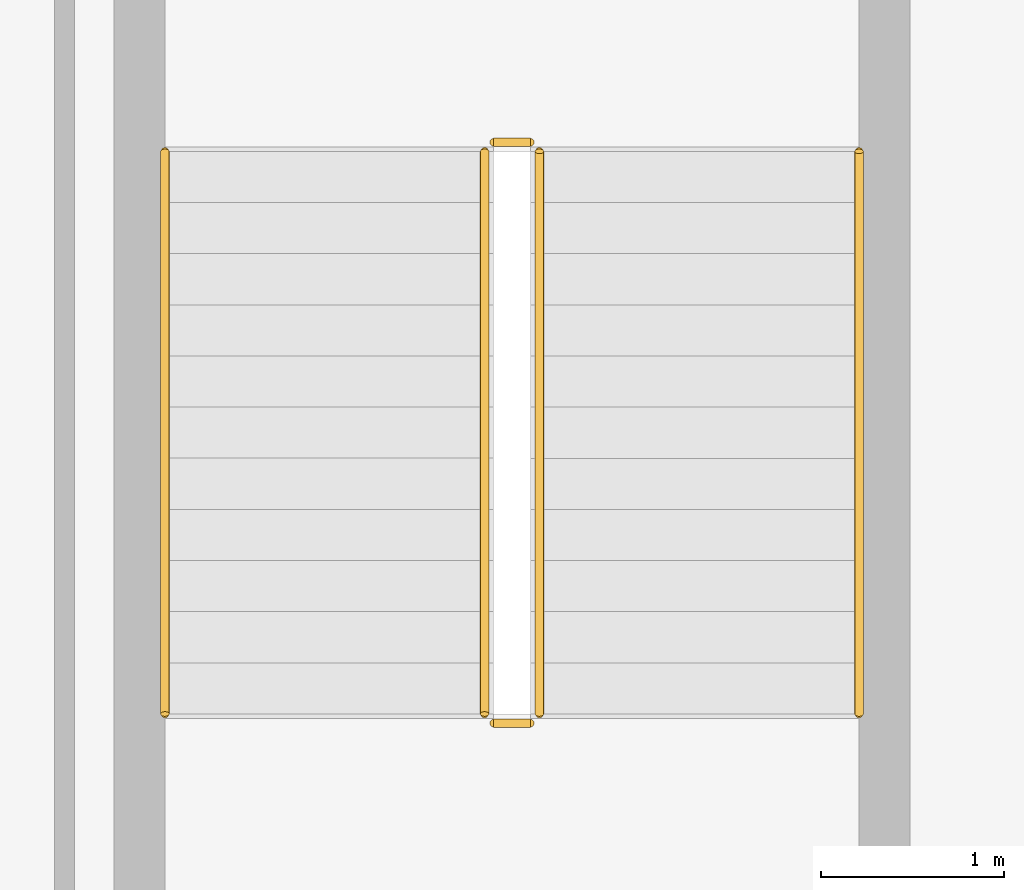
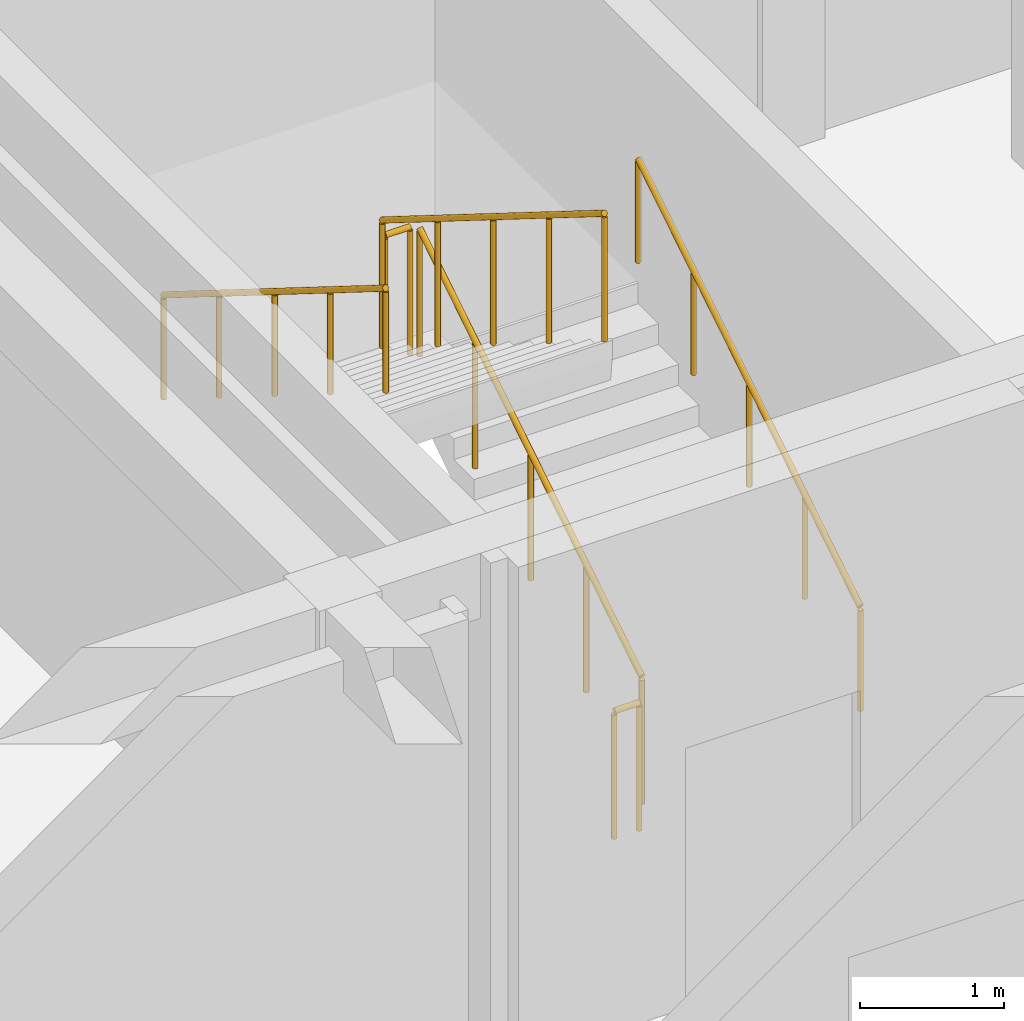
# One storey, part 21 of 26: 6 railings.
"""IFC4 building model written with IfcOpenShell, lengths in metres."""

import ifcopenshell
import ifcopenshell.guid

model = None  # the IFC model being written
_history = None  # IfcOwnerHistory: only IFC2X3 demands one
_inside = {}  # id of a spatial element -> (the spatial element, [elements in it])
_under = {}  # id of a project, library or spatial element -> (it, [spatial elements below it])
_declared = {}  # id of a project -> (the project, [libraries it declares])
_typed = {}  # id of a type object -> (the type object, [elements of that type])
_made_of = {}  # id of a material, layer set ... -> (it, [elements and type objects made of it])


def new_model(schema):
    """Start an empty IFC model of exactly this schema.

    Asked for "IFC4X3", IfcOpenShell would pick the latest addendum, in which some entities
    have other attributes; the version numbers below select the first issue.
    IFC2X3 requires an IfcOwnerHistory on every rooted entity: one is made here for all.
    """
    global model, _history
    if schema == "IFC4X3":
        model = ifcopenshell.file(schema_version=(4, 3, 0, 0))
    else:
        model = ifcopenshell.file(schema=schema)
    _inside.clear()
    _under.clear()
    _declared.clear()
    _typed.clear()
    _made_of.clear()
    _history = None
    if model.schema == "IFC2X3":
        org = make("IfcOrganization", Name="unknown")
        user = make(
            "IfcPersonAndOrganization",
            ThePerson=make("IfcPerson", FamilyName="unknown"),
            TheOrganization=org,
        )
        app = make(
            "IfcApplication",
            ApplicationDeveloper=org,
            Version="unknown",
            ApplicationFullName="unknown",
            ApplicationIdentifier="unknown",
        )
        _history = make(
            "IfcOwnerHistory",
            OwningUser=user,
            OwningApplication=app,
            ChangeAction="ADDED",
            CreationDate=0,
        )
    return model


def make(cls, **values):
    """One entity of the class cls with the attributes given. An attribute that is None is left unset."""
    return model.create_entity(
        cls, **{name: value for name, value in values.items() if value is not None}
    )


def rooted(cls, **values):
    """An entity with a GlobalId (a new one), such as an element, a storey or a relation."""
    return make(cls, GlobalId=ifcopenshell.guid.new(), OwnerHistory=_history, **values)


def si_unit(unit_type, name, prefix=None):
    """IfcSIUnit, for example si_unit("LENGTHUNIT", "METRE", prefix="MILLI")."""
    return make("IfcSIUnit", UnitType=unit_type, Prefix=prefix, Name=name)


def assignment(units):
    """IfcUnitAssignment: the units of a project."""
    return None if units is None else make("IfcUnitAssignment", Units=units)


def point(xyz):
    """IfcCartesianPoint."""
    return None if xyz is None else make("IfcCartesianPoint", Coordinates=xyz)


def direction(xyz):
    """IfcDirection."""
    return None if xyz is None else make("IfcDirection", DirectionRatios=xyz)


def frame(location, z_axis=None, x_axis=None):
    """IfcAxis2Placement3D, a coordinate frame: its origin and axes. An axis left out is left unset."""
    return make(
        "IfcAxis2Placement3D",
        Location=point(location),
        Axis=direction(z_axis),
        RefDirection=direction(x_axis),
    )


def frame_2d(location, x_axis=None):
    """IfcAxis2Placement2D, a coordinate frame in the plane: its origin and x axis."""
    return make(
        "IfcAxis2Placement2D", Location=point(location), RefDirection=direction(x_axis)
    )


def origin():
    """The frame at (0, 0, 0) with its axes left unset."""
    return frame((0.0, 0.0, 0.0))


def origin_2d():
    """The frame at (0, 0) in the plane with its x axis left unset."""
    return frame_2d((0.0, 0.0))


def place(relative_to, where):
    """IfcLocalPlacement: puts the frame where relative to a parent placement (None: the world)."""
    return make(
        "IfcLocalPlacement", PlacementRelTo=relative_to, RelativePlacement=where
    )


def context(
    kind, dimensions, precision=None, world=None, true_north=None, identifier=None
):
    """IfcGeometricRepresentationContext, for example the 3D "Model" context."""
    return make(
        "IfcGeometricRepresentationContext",
        ContextIdentifier=identifier,
        ContextType=kind,
        CoordinateSpaceDimension=dimensions,
        Precision=precision,
        WorldCoordinateSystem=world,
        TrueNorth=true_north,
    )


def subcontext(parent, identifier, kind, view, scale=None):
    """IfcGeometricRepresentationSubContext, for example "Body" below "Model"."""
    return make(
        "IfcGeometricRepresentationSubContext",
        ContextIdentifier=identifier,
        ContextType=kind,
        ParentContext=parent,
        TargetScale=scale,
        TargetView=view,
    )


def project(units=None, contexts=None):
    """IfcProject with its units and contexts."""
    return rooted(
        "IfcProject",
        Name="project",
        RepresentationContexts=contexts,
        UnitsInContext=assignment(units),
    )


def spatial(cls, under=None, at=None, **own):
    """A site, building, storey or space (cls), placed at a placement, below another one or the project."""
    s = rooted(cls, ObjectPlacement=at, **own)
    if under is not None:
        _under.setdefault(under.id(), (under, []))[1].append(s)
    return s


def profile(cls, at=None, kind="AREA", **sizes):
    """A parametric profile (cls). Its sizes go by their IFC names, for example OverallWidth=200.0."""
    return make(cls, ProfileType=kind, Position=at, **sizes)


def circle(**sizes):
    """IfcCircleProfileDef."""
    return profile("IfcCircleProfileDef", **sizes)


def extrude(swept, where, along, depth):
    """IfcExtrudedAreaSolid: the profile swept, set in the frame where, extruded along a direction by depth."""
    return make(
        "IfcExtrudedAreaSolid",
        SweptArea=swept,
        Position=where,
        ExtrudedDirection=direction(along),
        Depth=depth,
    )


def shape(context_of_items, identifier, shape_type, items):
    """IfcShapeRepresentation: the items that make up one representation, for example the "Body"."""
    return make(
        "IfcShapeRepresentation",
        ContextOfItems=context_of_items,
        RepresentationIdentifier=identifier,
        RepresentationType=shape_type,
        Items=items,
    )


def material(Name=None, Category=None):
    """IfcMaterial."""
    return make("IfcMaterial", Name=Name, Category=Category)


def made_of(thing, what):
    """Note that an element or type object is made of a material, layer set ...; save() writes the relation."""
    if what is not None:
        _made_of.setdefault(what.id(), (what, []))[1].append(thing)
    return thing


def type_object(cls, material=None, **own):
    """A type object (cls), such as IfcWallType, which elements share."""
    return made_of(rooted(cls, **own), material)


def element(
    cls,
    number,
    at=None,
    inside=None,
    cuts=None,
    type_object=None,
    material=None,
    context=None,
    identifier="Body",
    shape_type=None,
    held_by="IfcProductDefinitionShape",
    body=None,
    shapes=None,
    **own,
):
    """One element of the class cls, such as IfcWall. Its Tag is "e" and its number.

    at: its placement. inside: the storey or other place that contains it. cuts: it is an
    opening in that element (IfcRelVoidsElement). A single representation is given by context,
    identifier, shape_type and body (its items); several are given by shapes. held_by: the class
    of the entity that holds the representations. save() writes the other relations.
    """
    e = rooted(cls, Tag="e%d" % number, ObjectPlacement=at, **own)
    if body is not None:
        shapes = [shape(context, identifier, shape_type, body)]
    if shapes is not None:
        e.Representation = make(held_by, Representations=shapes)
    if inside is not None:
        _inside.setdefault(inside.id(), (inside, []))[1].append(e)
    if cuts is not None:
        rooted(
            "IfcRelVoidsElement", RelatingBuildingElement=cuts, RelatedOpeningElement=e
        )
    if type_object is not None:
        _typed.setdefault(type_object.id(), (type_object, []))[1].append(e)
    return made_of(e, material)


def aggregate(whole, parts):
    """IfcRelAggregates: a whole, such as a stair, and the parts it consists of."""
    return rooted("IfcRelAggregates", RelatingObject=whole, RelatedObjects=parts)


def save(model, path):
    """Write the relations noted so far, then the file.

    IfcRelAggregates (storeys below a building ...), IfcRelContainedInSpatialStructure (elements
    in a storey), IfcRelDefinesByType, IfcRelAssociatesMaterial and IfcRelDeclares: one each for
    every whole, place, type object, material and project.
    """
    for whole, parts in _under.values():
        aggregate(whole, parts)
    for where, things in _inside.values():
        rooted(
            "IfcRelContainedInSpatialStructure",
            RelatedElements=things,
            RelatingStructure=where,
        )
    for kind, things in _typed.values():
        rooted("IfcRelDefinesByType", RelatedObjects=things, RelatingType=kind)
    for what, things in _made_of.values():
        rooted("IfcRelAssociatesMaterial", RelatedObjects=things, RelatingMaterial=what)
    for by, libraries in _declared.values():
        rooted("IfcRelDeclares", RelatingContext=by, RelatedDefinitions=libraries)
    model.write(path)


model = new_model("IFC4")

# Units and contexts
model_context = context("Model", 3, precision=1e-05, world=origin(), true_north=direction((0.0, 1.0)))
body_context = subcontext(model_context, "Body", "Model", "MODEL_VIEW")
ifc_project = project(units=[si_unit("LENGTHUNIT", "METRE"), si_unit("AREAUNIT", "SQUARE_METRE"), si_unit("VOLUMEUNIT", "CUBIC_METRE"), si_unit("PLANEANGLEUNIT", "RADIAN"), si_unit("MASSUNIT", "GRAM", prefix="KILO")], contexts=[model_context])

# Site, building, storey
site_placement = place(None, origin())
site = spatial("IfcSite", under=ifc_project, at=site_placement, CompositionType="ELEMENT")
building_placement = place(site_placement, origin())
building = spatial("IfcBuilding", under=site, at=building_placement, Name="Varncliffe General Hospital", CompositionType="ELEMENT")
storey_placement = place(building_placement, frame((0.0, 0.0, 28.800048828125)))
storey = spatial("IfcBuildingStorey", under=building, at=storey_placement, Name="L06", CompositionType="ELEMENT", Elevation=28.800048828125)

# Railings
ifc_material = material(Name="Powder-coated hospital steel guardrail and handrail", Category="steel")
railing_type_1 = type_object("IfcRailingType", Name="Stair and Ramp Handrail HR46", PredefinedType="HANDRAIL", material=ifc_material)
railing_1_placement = place(storey_placement, frame((13.550048828125, 118.0, 0.35400390625)))
element("IfcRailing", 1, at=railing_1_placement, inside=storey, type_object=railing_type_1, Name="L06 ST01 stair handrail 1", PredefinedType="HANDRAIL", context=body_context, shape_type="SweptSolid", body=[
    extrude(circle(Radius=0.02392578125, at=origin_2d()), frame((0.0, 0.0, 0.8759765625), z_axis=(0.0, 0.847998304005, 0.529998940003), x_axis=(-1.0, 0.0, 0.0)), (0.0, 0.0, 1.0), 3.632080078125),
    extrude(circle(Radius=0.02099609375, at=origin_2d()), origin(), (0.0, 0.0, 1.0), 0.851806640625),
    extrude(circle(Radius=0.02099609375, at=origin_2d()), frame((0.0, 0.77001953125, 0.481201171875)), (0.0, 0.0, 1.0), 0.851806640625),
    extrude(circle(Radius=0.02099609375, at=origin_2d()), frame((0.0, 1.5400390625, 0.96240234375)), (0.0, 0.0, 1.0), 0.851806640625),
    extrude(circle(Radius=0.02099609375, at=origin_2d()), frame((0.0, 2.31005859375, 1.44384765625)), (0.0, 0.0, 1.0), 0.851806640625),
    extrude(circle(Radius=0.02099609375, at=origin_2d()), frame((0.0, 3.080078125, 1.925048828125)), (0.0, 0.0, 1.0), 0.851806640625),
])
railing_2_placement = place(storey_placement, frame((9.75, 121.080078125, 2.453857421875)))
element("IfcRailing", 2, at=railing_2_placement, inside=storey, type_object=railing_type_1, Name="L06 ST01 stair handrail 2", PredefinedType="HANDRAIL", context=body_context, shape_type="SweptSolid", body=[
    extrude(circle(Radius=0.02392578125, at=origin_2d()), frame((0.0, 0.0, 0.8759765625), z_axis=(0.0, -0.847998304005, 0.529998940003), x_axis=(1.0, 0.0, 0.0)), (0.0, 0.0, 1.0), 3.632080078125),
    extrude(circle(Radius=0.02099609375, at=origin_2d()), origin(), (0.0, 0.0, 1.0), 0.851806640625),
    extrude(circle(Radius=0.02099609375, at=origin_2d()), frame((0.0, -0.77001953125, 0.481201171875)), (0.0, 0.0, 1.0), 0.851806640625),
    extrude(circle(Radius=0.02099609375, at=origin_2d()), frame((0.0, -1.5400390625, 0.96240234375)), (0.0, 0.0, 1.0), 0.851806640625),
    extrude(circle(Radius=0.02099609375, at=origin_2d()), frame((0.0, -2.31005859375, 1.44384765625)), (0.0, 0.0, 1.0), 0.851806640625),
    extrude(circle(Radius=0.02099609375, at=origin_2d()), frame((0.0, -3.080078125, 1.925048828125)), (0.0, 0.0, 1.0), 0.851806640625),
])
railing_type_2 = type_object("IfcRailingType", Name="Stairwell Guardrail SG49", PredefinedType="GUARDRAIL", material=ifc_material)
railing_3_placement = place(storey_placement, frame((11.800048828125, 118.0, 0.175048828125)))
element("IfcRailing", 3, at=railing_3_placement, inside=storey, type_object=railing_type_2, Name="L06 ST01 stair guard 1", PredefinedType="GUARDRAIL", context=body_context, shape_type="SweptSolid", body=[
    extrude(circle(Radius=0.02392578125, at=origin_2d()), frame((0.0, 0.0, 1.076171875), z_axis=(0.0, 0.848028513186, 0.529950602248), x_axis=(-1.0, 0.0, 0.0)), (0.0, 0.0, 1.0), 3.632080078125),
    extrude(circle(Radius=0.02099609375, at=origin_2d()), origin(), (0.0, 0.0, 1.0), 1.052001953125),
    extrude(circle(Radius=0.02099609375, at=origin_2d()), frame((0.0, 0.77001953125, 0.481201171875)), (0.0, 0.0, 1.0), 1.052001953125),
    extrude(circle(Radius=0.02099609375, at=origin_2d()), frame((0.0, 1.5400390625, 0.96240234375)), (0.0, 0.0, 1.0), 1.052001953125),
    extrude(circle(Radius=0.02099609375, at=origin_2d()), frame((0.0, 2.31005859375, 1.443603515625)), (0.0, 0.0, 1.0), 1.052001953125),
    extrude(circle(Radius=0.02099609375, at=origin_2d()), frame((0.0, 3.080078125, 1.9248046875)), (0.0, 0.0, 1.0), 1.052001953125),
])
railing_4_placement = place(storey_placement, frame((11.75, 121.1298828125, 2.099853515625)))
element("IfcRailing", 4, at=railing_4_placement, inside=storey, type_object=railing_type_2, Name="L06 ST01 stair guard 2", PredefinedType="GUARDRAIL", context=body_context, shape_type="SweptSolid", body=[
    extrude(circle(Radius=0.02392578125, at=origin_2d()), frame((0.0, 0.0, 1.076171875), z_axis=(-1.0, 0.0, 0.0), x_axis=(0.0, -1.0, 0.0)), (0.0, 0.0, 1.0), 0.199951171875),
    extrude(circle(Radius=0.02099609375, at=origin_2d()), origin(), (0.0, 0.0, 1.0), 1.052001953125),
    extrude(circle(Radius=0.02099609375, at=origin_2d()), frame((-0.199951171875, 0.0, 0.0)), (0.0, 0.0, 1.0), 1.052001953125),
])
railing_5_placement = place(storey_placement, frame((11.5, 121.080078125, 2.27490234375)))
element("IfcRailing", 5, at=railing_5_placement, inside=storey, type_object=railing_type_2, Name="L06 ST01 stair guard 3", PredefinedType="GUARDRAIL", context=body_context, shape_type="SweptSolid", body=[
    extrude(circle(Radius=0.02392578125, at=origin_2d()), frame((0.0, 0.0, 1.076171875), z_axis=(0.0, -0.847998304005, 0.529998940003), x_axis=(1.0, 0.0, 0.0)), (0.0, 0.0, 1.0), 3.632080078125),
    extrude(circle(Radius=0.02099609375, at=origin_2d()), origin(), (0.0, 0.0, 1.0), 1.052001953125),
    extrude(circle(Radius=0.02099609375, at=origin_2d()), frame((0.0, -0.77001953125, 0.481201171875)), (0.0, 0.0, 1.0), 1.052001953125),
    extrude(circle(Radius=0.02099609375, at=origin_2d()), frame((0.0, -1.5400390625, 0.96240234375)), (0.0, 0.0, 1.0), 1.052001953125),
    extrude(circle(Radius=0.02099609375, at=origin_2d()), frame((0.0, -2.31005859375, 1.44384765625)), (0.0, 0.0, 1.0), 1.052001953125),
    extrude(circle(Radius=0.02099609375, at=origin_2d()), frame((0.0, -3.080078125, 1.925048828125)), (0.0, 0.0, 1.0), 1.052001953125),
])
railing_6_placement = place(storey_placement, frame((11.75, 117.949951171875, 0.0)))
element("IfcRailing", 6, at=railing_6_placement, inside=storey, type_object=railing_type_2, Name="L06 ST01 stair guard 4", PredefinedType="GUARDRAIL", context=body_context, shape_type="SweptSolid", body=[
    extrude(circle(Radius=0.02392578125, at=origin_2d()), frame((0.0, 0.0, 1.076171875), z_axis=(-1.0, 0.0, 0.0), x_axis=(0.0, -1.0, 0.0)), (0.0, 0.0, 1.0), 0.199951171875),
    extrude(circle(Radius=0.02099609375, at=origin_2d()), origin(), (0.0, 0.0, 1.0), 1.052001953125),
    extrude(circle(Radius=0.02099609375, at=origin_2d()), frame((-0.199951171875, 0.0, 0.0)), (0.0, 0.0, 1.0), 1.052001953125),
])

save(model, "model.ifc")
